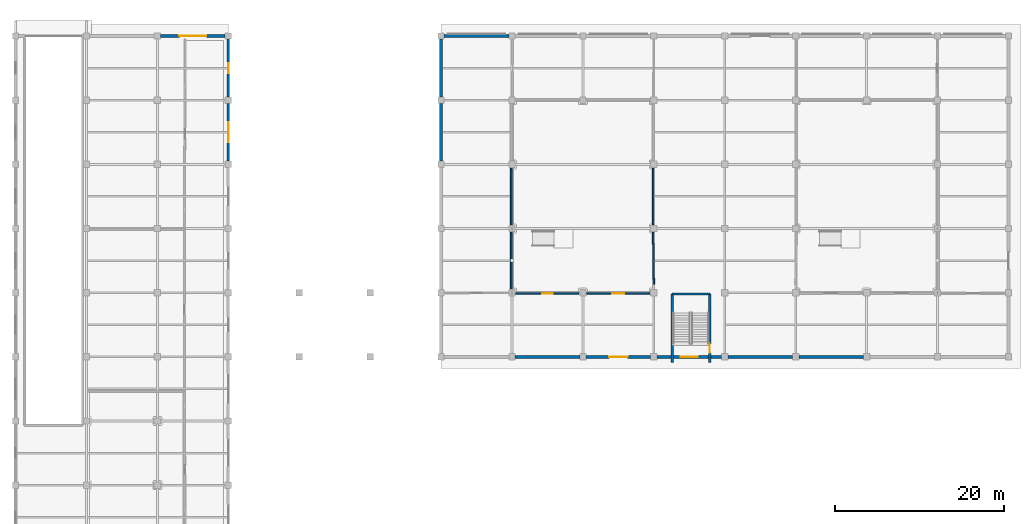
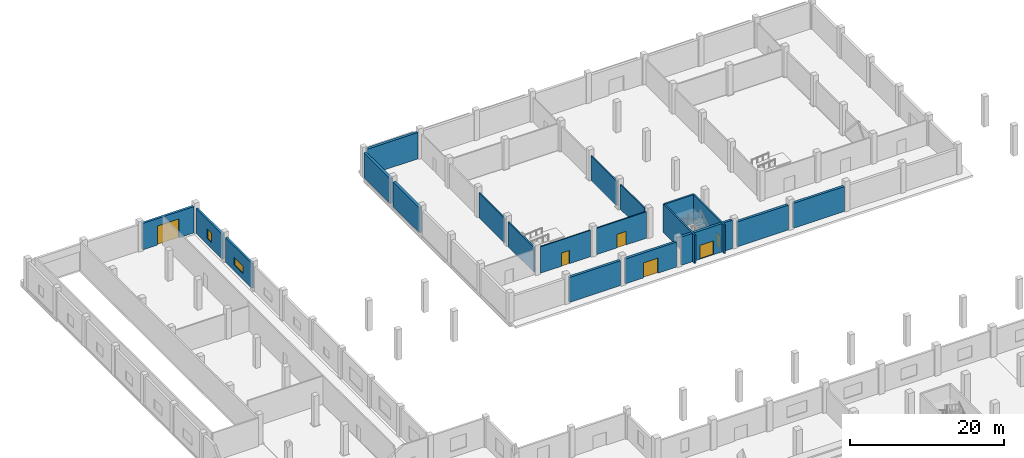
# One storey, part 22 of 36: 20 walls, 6 doors, 2 windows, 8 openings.
"""IFC4 building model written with IfcOpenShell, lengths in metres."""

import ifcopenshell
import ifcopenshell.guid

model = None  # the IFC model being written
_history = None  # IfcOwnerHistory: only IFC2X3 demands one
_inside = {}  # id of a spatial element -> (the spatial element, [elements in it])
_under = {}  # id of a project, library or spatial element -> (it, [spatial elements below it])
_declared = {}  # id of a project -> (the project, [libraries it declares])
_typed = {}  # id of a type object -> (the type object, [elements of that type])
_made_of = {}  # id of a material, layer set ... -> (it, [elements and type objects made of it])


def new_model(schema):
    """Start an empty IFC model of exactly this schema.

    Asked for "IFC4X3", IfcOpenShell would pick the latest addendum, in which some entities
    have other attributes; the version numbers below select the first issue.
    IFC2X3 requires an IfcOwnerHistory on every rooted entity: one is made here for all.
    """
    global model, _history
    if schema == "IFC4X3":
        model = ifcopenshell.file(schema_version=(4, 3, 0, 0))
    else:
        model = ifcopenshell.file(schema=schema)
    _inside.clear()
    _under.clear()
    _declared.clear()
    _typed.clear()
    _made_of.clear()
    _history = None
    if model.schema == "IFC2X3":
        org = make("IfcOrganization", Name="unknown")
        user = make(
            "IfcPersonAndOrganization",
            ThePerson=make("IfcPerson", FamilyName="unknown"),
            TheOrganization=org,
        )
        app = make(
            "IfcApplication",
            ApplicationDeveloper=org,
            Version="unknown",
            ApplicationFullName="unknown",
            ApplicationIdentifier="unknown",
        )
        _history = make(
            "IfcOwnerHistory",
            OwningUser=user,
            OwningApplication=app,
            ChangeAction="ADDED",
            CreationDate=0,
        )
    return model


def make(cls, **values):
    """One entity of the class cls with the attributes given. An attribute that is None is left unset."""
    return model.create_entity(
        cls, **{name: value for name, value in values.items() if value is not None}
    )


def rooted(cls, **values):
    """An entity with a GlobalId (a new one), such as an element, a storey or a relation."""
    return make(cls, GlobalId=ifcopenshell.guid.new(), OwnerHistory=_history, **values)


def si_unit(unit_type, name, prefix=None):
    """IfcSIUnit, for example si_unit("LENGTHUNIT", "METRE", prefix="MILLI")."""
    return make("IfcSIUnit", UnitType=unit_type, Prefix=prefix, Name=name)


def assignment(units):
    """IfcUnitAssignment: the units of a project."""
    return None if units is None else make("IfcUnitAssignment", Units=units)


def point(xyz):
    """IfcCartesianPoint."""
    return None if xyz is None else make("IfcCartesianPoint", Coordinates=xyz)


def direction(xyz):
    """IfcDirection."""
    return None if xyz is None else make("IfcDirection", DirectionRatios=xyz)


def frame(location, z_axis=None, x_axis=None):
    """IfcAxis2Placement3D, a coordinate frame: its origin and axes. An axis left out is left unset."""
    return make(
        "IfcAxis2Placement3D",
        Location=point(location),
        Axis=direction(z_axis),
        RefDirection=direction(x_axis),
    )


def frame_2d(location, x_axis=None):
    """IfcAxis2Placement2D, a coordinate frame in the plane: its origin and x axis."""
    return make(
        "IfcAxis2Placement2D", Location=point(location), RefDirection=direction(x_axis)
    )


def origin():
    """The frame at (0, 0, 0) with its axes left unset."""
    return frame((0.0, 0.0, 0.0))


def place(relative_to, where):
    """IfcLocalPlacement: puts the frame where relative to a parent placement (None: the world)."""
    return make(
        "IfcLocalPlacement", PlacementRelTo=relative_to, RelativePlacement=where
    )


def context(
    kind, dimensions, precision=None, world=None, true_north=None, identifier=None
):
    """IfcGeometricRepresentationContext, for example the 3D "Model" context."""
    return make(
        "IfcGeometricRepresentationContext",
        ContextIdentifier=identifier,
        ContextType=kind,
        CoordinateSpaceDimension=dimensions,
        Precision=precision,
        WorldCoordinateSystem=world,
        TrueNorth=true_north,
    )


def subcontext(parent, identifier, kind, view, scale=None):
    """IfcGeometricRepresentationSubContext, for example "Body" below "Model"."""
    return make(
        "IfcGeometricRepresentationSubContext",
        ContextIdentifier=identifier,
        ContextType=kind,
        ParentContext=parent,
        TargetScale=scale,
        TargetView=view,
    )


def project(units=None, contexts=None):
    """IfcProject with its units and contexts."""
    return rooted(
        "IfcProject",
        Name="project",
        RepresentationContexts=contexts,
        UnitsInContext=assignment(units),
    )


def spatial(cls, under=None, at=None, **own):
    """A site, building, storey or space (cls), placed at a placement, below another one or the project."""
    s = rooted(cls, ObjectPlacement=at, **own)
    if under is not None:
        _under.setdefault(under.id(), (under, []))[1].append(s)
    return s


def profile(cls, at=None, kind="AREA", **sizes):
    """A parametric profile (cls). Its sizes go by their IFC names, for example OverallWidth=200.0."""
    return make(cls, ProfileType=kind, Position=at, **sizes)


def rectangle(**sizes):
    """IfcRectangleProfileDef."""
    return profile("IfcRectangleProfileDef", **sizes)


def extrude(swept, where, along, depth):
    """IfcExtrudedAreaSolid: the profile swept, set in the frame where, extruded along a direction by depth."""
    return make(
        "IfcExtrudedAreaSolid",
        SweptArea=swept,
        Position=where,
        ExtrudedDirection=direction(along),
        Depth=depth,
    )


def shape(context_of_items, identifier, shape_type, items):
    """IfcShapeRepresentation: the items that make up one representation, for example the "Body"."""
    return make(
        "IfcShapeRepresentation",
        ContextOfItems=context_of_items,
        RepresentationIdentifier=identifier,
        RepresentationType=shape_type,
        Items=items,
    )


def material(Name=None, Category=None):
    """IfcMaterial."""
    return make("IfcMaterial", Name=Name, Category=Category)


def layer(
    of_material, thickness, ventilated=None, Name=None, Category=None, Priority=None
):
    """IfcMaterialLayer: one layer of a wall or slab, of a material (None: an air gap)."""
    return make(
        "IfcMaterialLayer",
        Material=of_material,
        LayerThickness=thickness,
        IsVentilated=ventilated,
        Name=Name,
        Category=Category,
        Priority=Priority,
    )


def layer_set(layers, Name=None):
    """IfcMaterialLayerSet."""
    return make("IfcMaterialLayerSet", MaterialLayers=layers, LayerSetName=Name)


def made_of(thing, what):
    """Note that an element or type object is made of a material, layer set ...; save() writes the relation."""
    if what is not None:
        _made_of.setdefault(what.id(), (what, []))[1].append(thing)
    return thing


def type_object(cls, material=None, **own):
    """A type object (cls), such as IfcWallType, which elements share."""
    return made_of(rooted(cls, **own), material)


def element(
    cls,
    number,
    at=None,
    inside=None,
    cuts=None,
    type_object=None,
    material=None,
    context=None,
    identifier="Body",
    shape_type=None,
    held_by="IfcProductDefinitionShape",
    body=None,
    shapes=None,
    **own,
):
    """One element of the class cls, such as IfcWall. Its Tag is "e" and its number.

    at: its placement. inside: the storey or other place that contains it. cuts: it is an
    opening in that element (IfcRelVoidsElement). A single representation is given by context,
    identifier, shape_type and body (its items); several are given by shapes. held_by: the class
    of the entity that holds the representations. save() writes the other relations.
    """
    e = rooted(cls, Tag="e%d" % number, ObjectPlacement=at, **own)
    if body is not None:
        shapes = [shape(context, identifier, shape_type, body)]
    if shapes is not None:
        e.Representation = make(held_by, Representations=shapes)
    if inside is not None:
        _inside.setdefault(inside.id(), (inside, []))[1].append(e)
    if cuts is not None:
        rooted(
            "IfcRelVoidsElement", RelatingBuildingElement=cuts, RelatedOpeningElement=e
        )
    if type_object is not None:
        _typed.setdefault(type_object.id(), (type_object, []))[1].append(e)
    return made_of(e, material)


def fill(opening, filler):
    """IfcRelFillsElement: the door or window that sits in an opening."""
    return rooted(
        "IfcRelFillsElement",
        RelatingOpeningElement=opening,
        RelatedBuildingElement=filler,
    )


def aggregate(whole, parts):
    """IfcRelAggregates: a whole, such as a stair, and the parts it consists of."""
    return rooted("IfcRelAggregates", RelatingObject=whole, RelatedObjects=parts)


def save(model, path):
    """Write the relations noted so far, then the file.

    IfcRelAggregates (storeys below a building ...), IfcRelContainedInSpatialStructure (elements
    in a storey), IfcRelDefinesByType, IfcRelAssociatesMaterial and IfcRelDeclares: one each for
    every whole, place, type object, material and project.
    """
    for whole, parts in _under.values():
        aggregate(whole, parts)
    for where, things in _inside.values():
        rooted(
            "IfcRelContainedInSpatialStructure",
            RelatedElements=things,
            RelatingStructure=where,
        )
    for kind, things in _typed.values():
        rooted("IfcRelDefinesByType", RelatedObjects=things, RelatingType=kind)
    for what, things in _made_of.values():
        rooted("IfcRelAssociatesMaterial", RelatedObjects=things, RelatingMaterial=what)
    for by, libraries in _declared.values():
        rooted("IfcRelDeclares", RelatingContext=by, RelatedDefinitions=libraries)
    model.write(path)


model = new_model("IFC4")

# Units and contexts
model_context = context("Model", 3, precision=1e-05, world=origin(), true_north=direction((0.0, 1.0)))
body_context = subcontext(model_context, "Body", "Model", "MODEL_VIEW")
ifc_project = project(units=[si_unit("LENGTHUNIT", "METRE"), si_unit("AREAUNIT", "SQUARE_METRE"), si_unit("VOLUMEUNIT", "CUBIC_METRE"), si_unit("PLANEANGLEUNIT", "RADIAN"), si_unit("MASSUNIT", "GRAM", prefix="KILO")], contexts=[model_context])

# Site, building, storey
site_placement = place(None, origin())
site = spatial("IfcSite", under=ifc_project, at=site_placement, CompositionType="ELEMENT")
building_placement = place(site_placement, origin())
building = spatial("IfcBuilding", under=site, at=building_placement, Name="Zuvorla Pavilion Media Centre", CompositionType="ELEMENT")
storey_placement = place(building_placement, origin())
storey = spatial("IfcBuildingStorey", under=building, at=storey_placement, Name="L00", CompositionType="ELEMENT", Elevation=0.0)

# Wall
ifc_material_1 = material(Name="Concrete C40/50", Category="concrete")
ifc_layer_1 = layer(ifc_material_1, 0.25)
ifc_layer_set_1 = layer_set([ifc_layer_1], Name="Concrete C40/50")
wall_type_1 = type_object("IfcWallType", Name="WL-COR-250", PredefinedType="SHEAR", material=ifc_layer_set_1)
wall_1_placement = place(storey_placement, frame((94.175048828125, 81.324951171875, 0.0), z_axis=(0.0, 0.0, 1.0), x_axis=(0.0, 1.0, 0.0)))
element("IfcWall", 1, at=wall_1_placement, inside=storey, type_object=wall_type_1, Name="L00 shear wall CW25 333", PredefinedType="SHEAR", context=body_context, shape_type="SweptSolid", body=[
    extrude(rectangle(XDim=8.10009765625, YDim=0.25, at=frame_2d((4.050048828125, 0.0))), origin(), (0.0, 0.0, 1.0), 4.52001953125),
])

# Wall, opening, door
wall_2_placement = place(storey_placement, frame((98.625, 81.324951171875, 0.0), z_axis=(0.0, 0.0, 1.0), x_axis=(0.0, 1.0, 0.0)))
wall_2 = element("IfcWall", 2, at=wall_2_placement, inside=storey, type_object=wall_type_1, Name="L00 shear wall CW25 334", PredefinedType="SHEAR", context=body_context, shape_type="SweptSolid", body=[
    extrude(rectangle(XDim=8.10009765625, YDim=0.25, at=frame_2d((4.050048828125, 0.0))), origin(), (0.0, 0.0, 1.0), 4.52001953125),
])
opening_1_placement = place(wall_2_placement, frame((1.14990234375, 0.0, 0.0)))
opening_1 = element("IfcOpeningElement", 3, at=opening_1_placement, cuts=wall_2, Name="Opening FD04", PredefinedType="OPENING", context=body_context, shape_type="SweptSolid", body=[
    extrude(rectangle(XDim=1.050048828125, YDim=2.10009765625, at=frame_2d((0.52490234375, 1.050048828125))), frame((0.0, 0.135009765625, 0.0), z_axis=(0.0, -1.0, 0.0), x_axis=(1.0, 0.0, 0.0)), (0.0, 0.0, 1.0), 0.27001953125),
])
ifc_material_2 = material(Name="Acoustic timber fire door leaf in steel frame", Category="steel")
door_type_1 = type_object("IfcDoorType", Name="DR-INT-FD04", OperationType="NOTDEFINED", PredefinedType="DOOR", material=ifc_material_2)
door_1_placement = place(opening_1_placement, frame((1.050048828125, 0.0, 0.0), z_axis=(0.0, 0.0, 1.0), x_axis=(-1.0, 0.0, 0.0)))
door_1 = element("IfcDoor", 4, at=door_1_placement, inside=storey, type_object=door_type_1, Name="Stair ST-05 fire door FD04 113", OperationType="SINGLE_SWING_LEFT", OverallHeight=2.10009765625, OverallWidth=1.050048828125, PredefinedType="DOOR", context=body_context, shape_type="SweptSolid", body=[
    extrude(rectangle(XDim=1.050048828125, YDim=2.10009765625, at=frame_2d((0.52490234375, 1.050048828125))), frame((0.0, 0.02490234375, 0.0), z_axis=(0.0, -1.0, 0.0), x_axis=(1.0, 0.0, 0.0)), (0.0, 0.0, 1.0), 0.050048828125),
])
fill(opening_1, door_1)

# Wall
wall_3_placement = place(storey_placement, frame((94.175048828125, 89.425048828125, 0.0), z_axis=(0.0, 0.0, 1.0), x_axis=(1.0, 0.0, 0.0)))
element("IfcWall", 5, at=wall_3_placement, inside=storey, type_object=wall_type_1, Name="L00 shear wall CW25 335", PredefinedType="SHEAR", context=body_context, shape_type="SweptSolid", body=[
    extrude(rectangle(XDim=4.449951171875, YDim=0.25, at=frame_2d((2.22509765625, 0.0))), origin(), (0.0, 0.0, 1.0), 4.52001953125),
])

# Wall, opening, window
ifc_material_3 = material(Name="White rendered concrete C32/40", Category="concrete")
ifc_layer_2 = layer(ifc_material_3, 0.300048828125)
ifc_layer_set_2 = layer_set([ifc_layer_2], Name="White rendered concrete C32/40")
wall_type_2 = type_object("IfcWallType", Name="WL-EXT-300", PredefinedType="SOLIDWALL", material=ifc_layer_set_2)
wall_4_placement = place(storey_placement, frame((41.60009765625, 105.175048828125, 0.0), z_axis=(0.0, 0.0, 1.0), x_axis=(0.0, 1.0, 0.0)))
wall_4 = element("IfcWall", 6, at=wall_4_placement, inside=storey, type_object=wall_type_2, Name="L00 exterior solid wall EW03 92", PredefinedType="SOLIDWALL", context=body_context, shape_type="SweptSolid", body=[
    extrude(rectangle(XDim=6.849853515625, YDim=0.300048828125, at=frame_2d((3.4248046875, 0.0))), origin(), (0.0, 0.0, 1.0), 3.9501953125),
])
opening_2_placement = place(wall_4_placement, frame((2.22509765625, 0.0, 0.949951171875)))
opening_2 = element("IfcOpeningElement", 7, at=opening_2_placement, cuts=wall_4, Name="Opening WN28", PredefinedType="OPENING", context=body_context, shape_type="SweptSolid", body=[
    extrude(rectangle(XDim=2.39990234375, YDim=1.199951171875, at=frame_2d((1.199951171875, 0.60009765625))), frame((0.0, 0.159912109375, 0.0), z_axis=(0.0, -1.0, 0.0), x_axis=(1.0, 0.0, 0.0)), (0.0, 0.0, 1.0), 0.320068359375),
])
ifc_material_4 = material(Name="Anodised aluminium frame with solar double glazing", Category="aluminium")
window_type_1 = type_object("IfcWindowType", Name="WIN-WN28", PartitioningType="DOUBLE_PANEL_VERTICAL", PredefinedType="WINDOW", material=ifc_material_4)
window_1_placement = place(opening_2_placement, origin())
window_1 = element("IfcWindow", 8, at=window_1_placement, inside=storey, type_object=window_type_1, Name="L00 window WN28 28", OverallHeight=1.199951171875, OverallWidth=2.39990234375, PartitioningType="DOUBLE_PANEL_VERTICAL", PredefinedType="WINDOW", context=body_context, shape_type="SweptSolid", body=[
    extrude(rectangle(XDim=2.39990234375, YDim=1.199951171875, at=frame_2d((1.199951171875, 0.60009765625))), frame((0.0, 0.030029296875, 0.0), z_axis=(0.0, -1.0, 0.0), x_axis=(1.0, 0.0, 0.0)), (0.0, 0.0, 1.0), 0.06005859375),
])
fill(opening_2, window_1)

wall_5_placement = place(storey_placement, frame((41.60009765625, 112.77490234375, 0.0), z_axis=(0.0, 0.0, 1.0), x_axis=(0.0, 1.0, 0.0)))
wall_5 = element("IfcWall", 9, at=wall_5_placement, inside=storey, type_object=wall_type_2, Name="L00 exterior solid wall EW03 93", PredefinedType="SOLIDWALL", context=body_context, shape_type="SweptSolid", body=[
    extrude(rectangle(XDim=6.85009765625, YDim=0.300048828125, at=frame_2d((3.425048828125, 0.0))), origin(), (0.0, 0.0, 1.0), 3.9501953125),
])
opening_3_placement = place(wall_5_placement, frame((2.824951171875, 0.0, 0.949951171875)))
opening_3 = element("IfcOpeningElement", 10, at=opening_3_placement, cuts=wall_5, Name="Opening WN01", PredefinedType="OPENING", context=body_context, shape_type="SweptSolid", body=[
    extrude(rectangle(XDim=1.199951171875, YDim=1.5, at=frame_2d((0.60009765625, 0.75))), frame((0.0, 0.159912109375, 0.0), z_axis=(0.0, -1.0, 0.0), x_axis=(1.0, 0.0, 0.0)), (0.0, 0.0, 1.0), 0.320068359375),
])
window_type_2 = type_object("IfcWindowType", Name="WIN-WN01", PartitioningType="SINGLE_PANEL", PredefinedType="WINDOW", material=ifc_material_4)
window_2_placement = place(opening_3_placement, origin())
window_2 = element("IfcWindow", 11, at=window_2_placement, inside=storey, type_object=window_type_2, Name="L00 window WN01 29", OverallHeight=1.5, OverallWidth=1.199951171875, PartitioningType="SINGLE_PANEL", PredefinedType="WINDOW", context=body_context, shape_type="SweptSolid", body=[
    extrude(rectangle(XDim=1.199951171875, YDim=1.5, at=frame_2d((0.60009765625, 0.75))), frame((0.0, 0.030029296875, 0.0), z_axis=(0.0, -1.0, 0.0), x_axis=(1.0, 0.0, 0.0)), (0.0, 0.0, 1.0), 0.06005859375),
])
fill(opening_3, window_2)

# Wall, opening, door
ifc_layer_3 = layer(ifc_material_3, 0.340087890625)
ifc_layer_set_3 = layer_set([ifc_layer_3], Name="White rendered concrete C32/40")
wall_type_3 = type_object("IfcWallType", Name="WL-EXT-340", PredefinedType="SOLIDWALL", material=ifc_layer_set_3)
wall_6_placement = place(storey_placement, frame((41.22509765625, 120.0, 0.0), z_axis=(0.0, 0.0, 1.0), x_axis=(-1.0, 0.0, 0.0)))
wall_6 = element("IfcWall", 12, at=wall_6_placement, inside=storey, type_object=wall_type_3, Name="L00 exterior solid wall EW02 146", PredefinedType="SOLIDWALL", context=body_context, shape_type="SweptSolid", body=[
    extrude(rectangle(XDim=7.650146484375, YDim=0.340087890625, at=frame_2d((3.8251953125, 0.0))), origin(), (0.0, 0.0, 1.0), 4.18701171875),
])
opening_4_placement = place(wall_6_placement, frame((2.22509765625, 0.0, 0.0)))
opening_4 = element("IfcOpeningElement", 13, at=opening_4_placement, cuts=wall_6, Name="Opening ED06", PredefinedType="OPENING", context=body_context, shape_type="SweptSolid", body=[
    extrude(rectangle(XDim=3.199951171875, YDim=3.0, at=frame_2d((1.60009765625, 1.5))), frame((0.0, 0.179931640625, 0.0), z_axis=(0.0, -1.0, 0.0), x_axis=(1.0, 0.0, 0.0)), (0.0, 0.0, 1.0), 0.360107421875),
])
ifc_material_5 = material(Name="Insulated steel acoustic loading dock door", Category="steel")
door_type_2 = type_object("IfcDoorType", Name="DR-EXT-320x300", OperationType="NOTDEFINED", PredefinedType="DOOR", material=ifc_material_5)
door_2_placement = place(opening_4_placement, frame((3.199951171875, 0.0, 0.0), z_axis=(0.0, 0.0, 1.0), x_axis=(-1.0, 0.0, 0.0)))
door_2 = element("IfcDoor", 14, at=door_2_placement, inside=storey, type_object=door_type_2, Name="Exterior Exit Door DR-EXT-L00-016", OperationType="DOUBLE_DOOR_SINGLE_SWING", OverallHeight=3.0, OverallWidth=3.199951171875, PredefinedType="DOOR", context=body_context, shape_type="SweptSolid", body=[
    extrude(rectangle(XDim=3.199951171875, YDim=3.0, at=frame_2d((1.60009765625, 1.5))), frame((0.0, 0.02490234375, 0.0), z_axis=(0.0, -1.0, 0.0), x_axis=(1.0, 0.0, 0.0)), (0.0, 0.0, 1.0), 0.050048828125),
])
fill(opening_4, door_2)

# Wall
ifc_material_6 = material(Name="Dark charcoal terracotta concrete C40/50", Category="masonry")
ifc_layer_4 = layer(ifc_material_6, 0.3798828125)
ifc_layer_set_4 = layer_set([ifc_layer_4], Name="Dark charcoal terracotta concrete C40/50")
wall_type_4 = type_object("IfcWallType", Name="WL-EXT-380", PredefinedType="SOLIDWALL", material=ifc_layer_set_4)
wall_7_placement = place(storey_placement, frame((75.574951171875, 82.0, 0.0), z_axis=(0.0, 0.0, 1.0), x_axis=(1.0, 0.0, 0.0)))
element("IfcWall", 15, at=wall_7_placement, inside=storey, type_object=wall_type_4, Name="L00 exterior solid wall EW01 95", PredefinedType="SOLIDWALL", context=body_context, shape_type="SweptSolid", body=[
    extrude(rectangle(XDim=7.650146484375, YDim=0.3798828125, at=frame_2d((3.8251953125, 0.0))), origin(), (0.0, 0.0, 1.0), 3.9501953125),
])

# Wall, opening, door
wall_8_placement = place(storey_placement, frame((83.97509765625, 82.0, 0.0), z_axis=(0.0, 0.0, 1.0), x_axis=(1.0, 0.0, 0.0)))
wall_8 = element("IfcWall", 16, at=wall_8_placement, inside=storey, type_object=wall_type_4, Name="L00 exterior solid wall EW01 96", PredefinedType="SOLIDWALL", context=body_context, shape_type="SweptSolid", body=[
    extrude(rectangle(XDim=7.64990234375, YDim=0.3798828125, at=frame_2d((3.824951171875, 0.0))), origin(), (0.0, 0.0, 1.0), 3.9501953125),
])
opening_5_placement = place(wall_8_placement, frame((2.72509765625, 0.0, 0.0)))
opening_5 = element("IfcOpeningElement", 17, at=opening_5_placement, cuts=wall_8, Name="Opening ED02", PredefinedType="OPENING", context=body_context, shape_type="SweptSolid", body=[
    extrude(rectangle(XDim=2.199951171875, YDim=2.39990234375, at=frame_2d((1.10009765625, 1.199951171875))), frame((0.0, 0.199951171875, 0.0), z_axis=(0.0, -1.0, 0.0), x_axis=(1.0, 0.0, 0.0)), (0.0, 0.0, 1.0), 0.39990234375),
])
ifc_material_7 = material(Name="Anodised aluminium glazed exit door", Category="aluminium")
door_type_3 = type_object("IfcDoorType", Name="DR-EXT-220x240", OperationType="NOTDEFINED", PredefinedType="DOOR", material=ifc_material_7)
door_3_placement = place(opening_5_placement, frame((2.199951171875, 0.0, 0.0), z_axis=(0.0, 0.0, 1.0), x_axis=(-1.0, 0.0, 0.0)))
door_3 = element("IfcDoor", 18, at=door_3_placement, inside=storey, type_object=door_type_3, Name="Exterior Exit Door DR-EXT-L00-012", OperationType="DOUBLE_DOOR_SINGLE_SWING", OverallHeight=2.39990234375, OverallWidth=2.199951171875, PredefinedType="DOOR", context=body_context, shape_type="SweptSolid", body=[
    extrude(rectangle(XDim=2.199951171875, YDim=2.39990234375, at=frame_2d((1.10009765625, 1.199951171875))), frame((0.0, 0.02490234375, 0.0), z_axis=(0.0, -1.0, 0.0), x_axis=(1.0, 0.0, 0.0)), (0.0, 0.0, 1.0), 0.050048828125),
])
fill(opening_5, door_3)

wall_9_placement = place(storey_placement, frame((92.375, 82.0, 0.0), z_axis=(0.0, 0.0, 1.0), x_axis=(1.0, 0.0, 0.0)))
wall_9 = element("IfcWall", 19, at=wall_9_placement, inside=storey, type_object=wall_type_4, Name="L00 exterior solid wall EW01 97", PredefinedType="SOLIDWALL", context=body_context, shape_type="SweptSolid", body=[
    extrude(rectangle(XDim=7.64990234375, YDim=0.3798828125, at=frame_2d((3.824951171875, 0.0))), origin(), (0.0, 0.0, 1.0), 4.5),
])
opening_6_placement = place(wall_9_placement, frame((2.824951171875, 0.0, 0.0)))
opening_6 = element("IfcOpeningElement", 20, at=opening_6_placement, cuts=wall_9, Name="Opening ED03", PredefinedType="OPENING", context=body_context, shape_type="SweptSolid", body=[
    extrude(rectangle(XDim=2.0, YDim=2.199951171875, at=frame_2d((1.0, 1.10009765625))), frame((0.0, 0.199951171875, 0.0), z_axis=(0.0, -1.0, 0.0), x_axis=(1.0, 0.0, 0.0)), (0.0, 0.0, 1.0), 0.39990234375),
])
ifc_material_8 = material(Name="Powder-coated steel final exit door", Category="steel")
door_type_4 = type_object("IfcDoorType", Name="DR-EXT-200x220", OperationType="NOTDEFINED", PredefinedType="DOOR", material=ifc_material_8)
door_4_placement = place(opening_6_placement, frame((2.0, 0.0, 0.0), z_axis=(0.0, 0.0, 1.0), x_axis=(-1.0, 0.0, 0.0)))
door_4 = element("IfcDoor", 21, at=door_4_placement, inside=storey, type_object=door_type_4, Name="Exterior Exit Door DR-EXT-L00-013", OperationType="DOUBLE_DOOR_SINGLE_SWING", OverallHeight=2.199951171875, OverallWidth=2.0, PredefinedType="DOOR", context=body_context, shape_type="SweptSolid", body=[
    extrude(rectangle(XDim=2.0, YDim=2.199951171875, at=frame_2d((1.0, 1.10009765625))), frame((0.0, 0.02490234375, 0.0), z_axis=(0.0, -1.0, 0.0), x_axis=(1.0, 0.0, 0.0)), (0.0, 0.0, 1.0), 0.050048828125),
])
fill(opening_6, door_4)

# Walls
wall_10_placement = place(storey_placement, frame((100.77490234375, 82.0, 0.0), z_axis=(0.0, 0.0, 1.0), x_axis=(1.0, 0.0, 0.0)))
element("IfcWall", 22, at=wall_10_placement, inside=storey, type_object=wall_type_4, Name="L00 exterior solid wall EW01 98", PredefinedType="SOLIDWALL", context=body_context, shape_type="SweptSolid", body=[
    extrude(rectangle(XDim=7.650146484375, YDim=0.3798828125, at=frame_2d((3.8251953125, 0.0))), origin(), (0.0, 0.0, 1.0), 3.9501953125),
])
wall_11_placement = place(storey_placement, frame((109.175048828125, 82.0, 0.0), z_axis=(0.0, 0.0, 1.0), x_axis=(1.0, 0.0, 0.0)))
element("IfcWall", 23, at=wall_11_placement, inside=storey, type_object=wall_type_4, Name="L00 exterior solid wall EW01 99", PredefinedType="SOLIDWALL", context=body_context, shape_type="SweptSolid", body=[
    extrude(rectangle(XDim=7.64990234375, YDim=0.3798828125, at=frame_2d((3.824951171875, 0.0))), origin(), (0.0, 0.0, 1.0), 3.9501953125),
])
wall_12_placement = place(storey_placement, frame((74.824951171875, 120.0, 0.0), z_axis=(0.0, 0.0, 1.0), x_axis=(-1.0, 0.0, 0.0)))
element("IfcWall", 24, at=wall_12_placement, inside=storey, type_object=wall_type_4, Name="L00 exterior solid wall EW01 114", PredefinedType="SOLIDWALL", context=body_context, shape_type="SweptSolid", body=[
    extrude(rectangle(XDim=7.64990234375, YDim=0.3798828125, at=frame_2d((3.824951171875, 0.0))), origin(), (0.0, 0.0, 1.0), 4.18701171875),
])
wall_13_placement = place(storey_placement, frame((66.800048828125, 119.625, 0.0), z_axis=(0.0, 0.0, 1.0), x_axis=(0.0, -1.0, 0.0)))
element("IfcWall", 25, at=wall_13_placement, inside=storey, type_object=wall_type_4, Name="L00 exterior solid wall EW01 115", PredefinedType="SOLIDWALL", context=body_context, shape_type="SweptSolid", body=[
    extrude(rectangle(XDim=6.85009765625, YDim=0.3798828125, at=frame_2d((3.425048828125, 0.0))), origin(), (0.0, 0.0, 1.0), 3.9501953125),
])
wall_14_placement = place(storey_placement, frame((66.800048828125, 112.02490234375, 0.0), z_axis=(0.0, 0.0, 1.0), x_axis=(0.0, -1.0, 0.0)))
element("IfcWall", 26, at=wall_14_placement, inside=storey, type_object=wall_type_4, Name="L00 exterior solid wall EW01 116", PredefinedType="SOLIDWALL", context=body_context, shape_type="SweptSolid", body=[
    extrude(rectangle(XDim=6.849853515625, YDim=0.3798828125, at=frame_2d((3.4248046875, 0.0))), origin(), (0.0, 0.0, 1.0), 3.9501953125),
])

# Wall, opening, door
ifc_material_9 = material(Name="Double acoustic gypsum stud partition")
ifc_layer_5 = layer(ifc_material_9, 0.179931640625)
ifc_layer_set_5 = layer_set([ifc_layer_5], Name="Double acoustic gypsum stud partition")
wall_type_5 = type_object("IfcWallType", Name="WL-PRT-180", PredefinedType="PARTITIONING", material=ifc_layer_set_5)
wall_15_placement = place(storey_placement, frame((75.6650390625, 89.510009765625, 0.0), z_axis=(0.0, 0.0, 1.0), x_axis=(1.0, 0.0, 0.0)))
wall_15 = element("IfcWall", 27, at=wall_15_placement, inside=storey, type_object=wall_type_5, Name="L00 partition PT18 398", PredefinedType="PARTITIONING", context=body_context, shape_type="SweptSolid", body=[
    extrude(rectangle(XDim=7.469970703125, YDim=0.179931640625, at=frame_2d((3.73486328125, 0.0))), origin(), (0.0, 0.0, 1.0), 4.18701171875),
])
opening_7_placement = place(wall_15_placement, frame((3.135009765625, 0.0, 0.0)))
opening_7 = element("IfcOpeningElement", 28, at=opening_7_placement, cuts=wall_15, Name="Opening FD06", PredefinedType="OPENING", context=body_context, shape_type="SweptSolid", body=[
    extrude(rectangle(XDim=1.199951171875, YDim=2.10009765625, at=frame_2d((0.60009765625, 1.050048828125))), frame((0.0, 0.099853515625, 0.0), z_axis=(0.0, -1.0, 0.0), x_axis=(1.0, 0.0, 0.0)), (0.0, 0.0, 1.0), 0.199951171875),
])
door_type_5 = type_object("IfcDoorType", Name="DR-INT-FD06", OperationType="NOTDEFINED", PredefinedType="DOOR", material=ifc_material_2)
door_5_placement = place(opening_7_placement, origin())
door_5 = element("IfcDoor", 29, at=door_5_placement, inside=storey, type_object=door_type_5, Name="Interior door FD06 142", OperationType="SINGLE_SWING_RIGHT", OverallHeight=2.10009765625, OverallWidth=1.199951171875, PredefinedType="DOOR", context=body_context, shape_type="SweptSolid", body=[
    extrude(rectangle(XDim=1.199951171875, YDim=2.10009765625, at=frame_2d((0.60009765625, 1.050048828125))), frame((0.0, 0.02490234375, 0.0), z_axis=(0.0, -1.0, 0.0), x_axis=(1.0, 0.0, 0.0)), (0.0, 0.0, 1.0), 0.050048828125),
])
fill(opening_7, door_5)

wall_16_placement = place(storey_placement, frame((84.06494140625, 89.510009765625, 0.0), z_axis=(0.0, 0.0, 1.0), x_axis=(1.0, 0.0, 0.0)))
wall_16 = element("IfcWall", 30, at=wall_16_placement, inside=storey, type_object=wall_type_5, Name="L00 partition PT18 399", PredefinedType="PARTITIONING", context=body_context, shape_type="SweptSolid", body=[
    extrude(rectangle(XDim=7.469970703125, YDim=0.179931640625, at=frame_2d((3.73486328125, 0.0))), origin(), (0.0, 0.0, 1.0), 4.18701171875),
])
opening_8_placement = place(wall_16_placement, frame((3.034912109375, 0.0, 0.0)))
opening_8 = element("IfcOpeningElement", 31, at=opening_8_placement, cuts=wall_16, Name="Opening FD07", PredefinedType="OPENING", context=body_context, shape_type="SweptSolid", body=[
    extrude(rectangle(XDim=1.39990234375, YDim=2.14990234375, at=frame_2d((0.699951171875, 1.074951171875))), frame((0.0, 0.099853515625, 0.0), z_axis=(0.0, -1.0, 0.0), x_axis=(1.0, 0.0, 0.0)), (0.0, 0.0, 1.0), 0.199951171875),
])
door_type_6 = type_object("IfcDoorType", Name="DR-INT-FD07", OperationType="NOTDEFINED", PredefinedType="DOOR", material=ifc_material_2)
door_6_placement = place(opening_8_placement, origin())
door_6 = element("IfcDoor", 32, at=door_6_placement, inside=storey, type_object=door_type_6, Name="Interior door FD07 143", OperationType="DOUBLE_DOOR_SINGLE_SWING", OverallHeight=2.14990234375, OverallWidth=1.39990234375, PredefinedType="DOOR", context=body_context, shape_type="SweptSolid", body=[
    extrude(rectangle(XDim=1.39990234375, YDim=2.14990234375, at=frame_2d((0.699951171875, 1.074951171875))), frame((0.0, 0.02490234375, 0.0), z_axis=(0.0, -1.0, 0.0), x_axis=(1.0, 0.0, 0.0)), (0.0, 0.0, 1.0), 0.050048828125),
])
fill(opening_8, door_6)

# Walls
wall_17_placement = place(storey_placement, frame((75.110107421875, 104.3349609375, 0.0), z_axis=(0.0, 0.0, 1.0), x_axis=(0.0, -1.0, 0.0)))
element("IfcWall", 33, at=wall_17_placement, inside=storey, type_object=wall_type_5, Name="L00 partition PT18 450", PredefinedType="PARTITIONING", context=body_context, shape_type="SweptSolid", body=[
    extrude(rectangle(XDim=6.669921875, YDim=0.179931640625, at=frame_2d((3.3349609375, 0.0))), origin(), (0.0, 0.0, 1.0), 3.9501953125),
])
wall_18_placement = place(storey_placement, frame((75.110107421875, 96.735107421875, 0.0), z_axis=(0.0, 0.0, 1.0), x_axis=(0.0, -1.0, 0.0)))
element("IfcWall", 34, at=wall_18_placement, inside=storey, type_object=wall_type_5, Name="L00 partition PT18 452", PredefinedType="PARTITIONING", context=body_context, shape_type="SweptSolid", body=[
    extrude(rectangle(XDim=6.670166015625, YDim=0.179931640625, at=frame_2d((3.3349609375, 0.0))), origin(), (0.0, 0.0, 1.0), 3.9501953125),
])
wall_19_placement = place(storey_placement, frame((91.909912109375, 104.3349609375, 0.0), z_axis=(0.0, 0.0, 1.0), x_axis=(0.0, -1.0, 0.0)))
element("IfcWall", 35, at=wall_19_placement, inside=storey, type_object=wall_type_5, Name="L00 partition PT18 456", PredefinedType="PARTITIONING", context=body_context, shape_type="SweptSolid", body=[
    extrude(rectangle(XDim=6.669921875, YDim=0.179931640625, at=frame_2d((3.3349609375, 0.0))), origin(), (0.0, 0.0, 1.0), 3.9501953125),
])
wall_20_placement = place(storey_placement, frame((91.9111328125, 96.735107421875, 0.0), z_axis=(0.0, 0.0, 1.0), x_axis=(0.014239501849, -0.999898613154, 0.0)))
element("IfcWall", 36, at=wall_20_placement, inside=storey, type_object=wall_type_5, Name="L00 partition PT18 458", PredefinedType="PARTITIONING", context=body_context, shape_type="SweptSolid", body=[
    extrude(rectangle(XDim=6.1552734375, YDim=0.179931640625, at=frame_2d((3.07763671875, 0.0))), origin(), (0.0, 0.0, 1.0), 3.9501953125),
])

save(model, "model.ifc")
